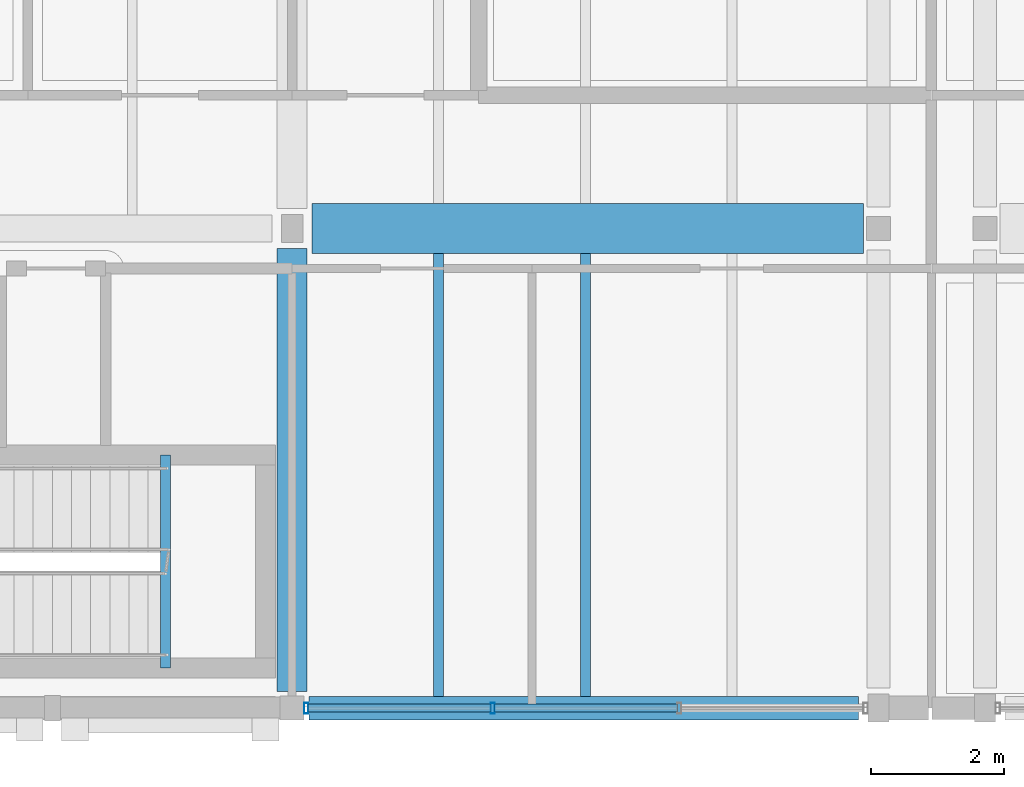
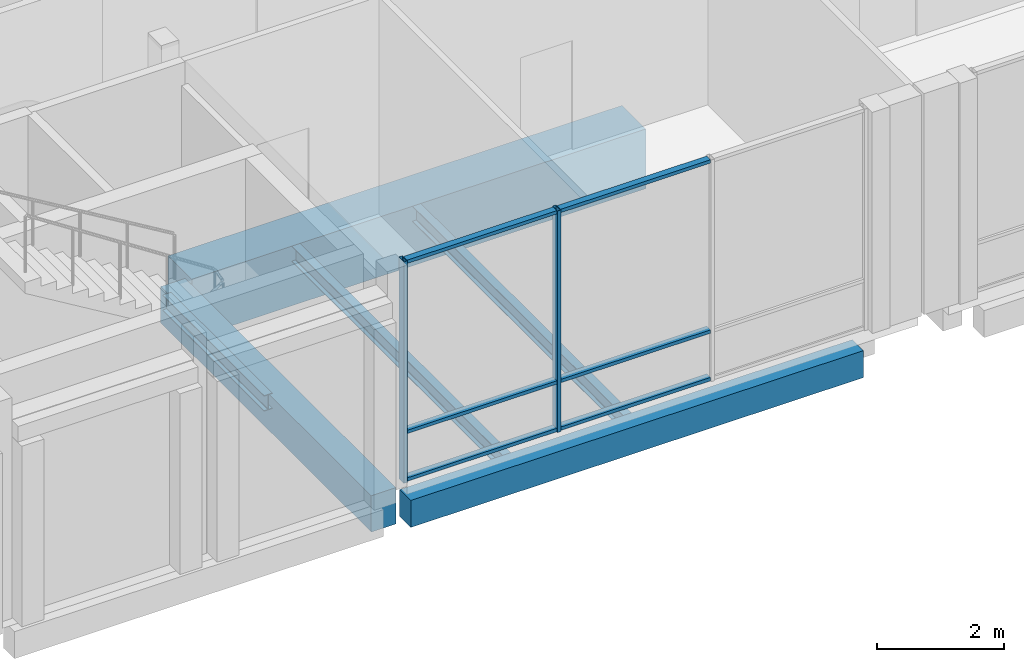
# One storey, part 33 of 146: 8 members, 6 beams, 1 element without a shape of its own.
"""IFC4 building model written with IfcOpenShell, lengths in metres."""

from ifc_helpers import new_model, si_unit, direction, frame, origin, origin_2d, place, context, subcontext, project, spatial, rectangle, hollow_rectangle, i_section, extrude, material, material_profile, profile_set, type_object, element, aggregate, save


model = new_model("IFC4")

# Units and contexts
model_context = context("Model", 3, precision=1e-05, world=origin(), true_north=direction((0.0, 1.0)))
body_context = subcontext(model_context, "Body", "Model", "MODEL_VIEW")
ifc_project = project(units=[si_unit("LENGTHUNIT", "METRE"), si_unit("AREAUNIT", "SQUARE_METRE"), si_unit("VOLUMEUNIT", "CUBIC_METRE"), si_unit("PLANEANGLEUNIT", "RADIAN"), si_unit("MASSUNIT", "GRAM", prefix="KILO")], contexts=[model_context])

# Site, building, storey
site_placement = place(None, origin())
site = spatial("IfcSite", under=ifc_project, at=site_placement, CompositionType="ELEMENT")
building_placement = place(site_placement, origin())
building = spatial("IfcBuilding", under=site, at=building_placement, Name="Hawrajan Terrace Health Centre", CompositionType="ELEMENT")
storey_placement = place(building_placement, frame((0.0, 0.0, 4.5)))
storey = spatial("IfcBuildingStorey", under=building, at=storey_placement, Name="L01", CompositionType="ELEMENT", Elevation=4.5)

# Curtain wall, members
ifc_material_1 = material(Name="Anodized bronze aluminium and low-E solar glazing", Category="aluminium")
curtain_wall_type = type_object("IfcCurtainWallType", Name="CW_CourtNS_SeriesC3", PredefinedType="USERDEFINED", material=ifc_material_1)
curtain_wall_placement = place(storey_placement, origin())
curtain_wall = element("IfcCurtainWall", 1, at=curtain_wall_placement, inside=storey, type_object=curtain_wall_type, Name="Curtain wall CW-L01-081", ObjectType="UNITISED CURTAIN WALL", PredefinedType="USERDEFINED")
ifc_material_2 = material(Name="Anodized bronze aluminium 6063-T6", Category="aluminium")
ifc_material_profile_1 = material_profile(ifc_material_2, hollow_rectangle(XDim=0.06494140625, YDim=0.159912109375, WallThickness=0.00390625, at=origin_2d()), Name="CW MUL 65x160")
ifc_profile_set_1 = profile_set([ifc_material_profile_1], Name="Anodized bronze aluminium 6063-T6")
member_type_1 = type_object("IfcMemberType", Name="CWMullion_65x160", PredefinedType="MULLION", material=ifc_profile_set_1)
member_1_placement = place(storey_placement, frame((62.41259765625, 4.199951171875, -0.0048828125), z_axis=(0.0, 0.0, 1.0), x_axis=(1.0, 0.0, 0.0)))
member_1 = element("IfcMember", 2, at=member_1_placement, type_object=member_type_1, Name="Mullion CW-L01-081-M1", PredefinedType="MULLION", context=body_context, shape_type="SweptSolid", body=[
    extrude(hollow_rectangle(XDim=0.06494140625, YDim=0.159912109375, WallThickness=0.00390625, at=origin_2d()), origin(), (0.0, 0.0, 1.0), 4.269775390625),
])
member_2_placement = place(storey_placement, frame((65.210693359375, 4.199951171875, -0.0048828125), z_axis=(0.0, 0.0, 1.0), x_axis=(1.0, 0.0, 0.0)))
member_2 = element("IfcMember", 3, at=member_2_placement, type_object=member_type_1, Name="Mullion CW-L01-081-M2", PredefinedType="MULLION", context=body_context, shape_type="SweptSolid", body=[
    extrude(hollow_rectangle(XDim=0.06494140625, YDim=0.159912109375, WallThickness=0.00390625, at=origin_2d()), origin(), (0.0, 0.0, 1.0), 4.269775390625),
])
ifc_material_profile_2 = material_profile(ifc_material_2, hollow_rectangle(XDim=0.06494140625, YDim=0.1201171875, WallThickness=0.00341796875, at=origin_2d()), Name="CW TRN 65x120")
ifc_profile_set_2 = profile_set([ifc_material_profile_2], Name="Anodized bronze aluminium 6063-T6")
member_type_2 = type_object("IfcMemberType", Name="CWTransom_65x120", PredefinedType="USERDEFINED", material=ifc_profile_set_2)
member_3_placement = place(storey_placement, frame((62.43896484375, 4.199951171875, 0.032470703125), z_axis=(1.0, 0.0, 0.0), x_axis=(0.0, 0.0, 1.0)))
member_3 = element("IfcMember", 4, at=member_3_placement, type_object=member_type_2, Name="Transom CW-L01-081-T1-1", ObjectType="TRANSOM", PredefinedType="USERDEFINED", context=body_context, shape_type="SweptSolid", body=[
    extrude(hollow_rectangle(XDim=0.06494140625, YDim=0.1201171875, WallThickness=0.00341796875, at=origin_2d()), origin(), (0.0, 0.0, 1.0), 2.745361328125),
])
member_4_placement = place(storey_placement, frame((62.43896484375, 4.199951171875, 0.949951171875), z_axis=(1.0, 0.0, 0.0), x_axis=(0.0, 0.0, 1.0)))
member_4 = element("IfcMember", 5, at=member_4_placement, type_object=member_type_2, Name="Transom CW-L01-081-T1-2", ObjectType="TRANSOM", PredefinedType="USERDEFINED", context=body_context, shape_type="SweptSolid", body=[
    extrude(hollow_rectangle(XDim=0.06494140625, YDim=0.1201171875, WallThickness=0.00341796875, at=origin_2d()), origin(), (0.0, 0.0, 1.0), 2.745361328125),
])
member_5_placement = place(storey_placement, frame((62.43896484375, 4.199951171875, 4.2275390625), z_axis=(1.0, 0.0, 0.0), x_axis=(0.0, 0.0, 1.0)))
member_5 = element("IfcMember", 6, at=member_5_placement, type_object=member_type_2, Name="Transom CW-L01-081-T1-3", ObjectType="TRANSOM", PredefinedType="USERDEFINED", context=body_context, shape_type="SweptSolid", body=[
    extrude(hollow_rectangle(XDim=0.06494140625, YDim=0.1201171875, WallThickness=0.00341796875, at=origin_2d()), origin(), (0.0, 0.0, 1.0), 2.745361328125),
])
member_6_placement = place(storey_placement, frame((65.2373046875, 4.199951171875, 0.032470703125), z_axis=(1.0, 0.0, 0.0), x_axis=(0.0, 0.0, 1.0)))
member_6 = element("IfcMember", 7, at=member_6_placement, type_object=member_type_2, Name="Transom CW-L01-081-T2-1", ObjectType="TRANSOM", PredefinedType="USERDEFINED", context=body_context, shape_type="SweptSolid", body=[
    extrude(hollow_rectangle(XDim=0.06494140625, YDim=0.1201171875, WallThickness=0.00341796875, at=origin_2d()), origin(), (0.0, 0.0, 1.0), 2.745361328125),
])
member_7_placement = place(storey_placement, frame((65.2373046875, 4.199951171875, 0.949951171875), z_axis=(1.0, 0.0, 0.0), x_axis=(0.0, 0.0, 1.0)))
member_7 = element("IfcMember", 8, at=member_7_placement, type_object=member_type_2, Name="Transom CW-L01-081-T2-2", ObjectType="TRANSOM", PredefinedType="USERDEFINED", context=body_context, shape_type="SweptSolid", body=[
    extrude(hollow_rectangle(XDim=0.06494140625, YDim=0.1201171875, WallThickness=0.00341796875, at=origin_2d()), origin(), (0.0, 0.0, 1.0), 2.745361328125),
])
member_8_placement = place(storey_placement, frame((65.2373046875, 4.199951171875, 4.2275390625), z_axis=(1.0, 0.0, 0.0), x_axis=(0.0, 0.0, 1.0)))
member_8 = element("IfcMember", 9, at=member_8_placement, type_object=member_type_2, Name="Transom CW-L01-081-T2-3", ObjectType="TRANSOM", PredefinedType="USERDEFINED", context=body_context, shape_type="SweptSolid", body=[
    extrude(hollow_rectangle(XDim=0.06494140625, YDim=0.1201171875, WallThickness=0.00341796875, at=origin_2d()), origin(), (0.0, 0.0, 1.0), 2.745361328125),
])
aggregate(curtain_wall, [member_1, member_2, member_3, member_4, member_5, member_6, member_7, member_8])

# Beams
ifc_material_3 = material(Name="Concrete C40/50", Category="concrete")
ifc_material_profile_3 = material_profile(ifc_material_3, rectangle(XDim=0.449951171875, YDim=0.699951171875, at=origin_2d()), Name="RC BM 450x700")
ifc_profile_set_3 = profile_set([ifc_material_profile_3], Name="Concrete C40/50")
beam_type_1 = type_object("IfcBeamType", Name="RCGirder_450x700", PredefinedType="BEAM", material=ifc_profile_set_3)
beam_1_placement = place(storey_placement, frame((62.199951171875, 4.449951171875, -0.64990234375), z_axis=(0.0, 1.0, 0.0), x_axis=(-1.0, 0.0, 0.0)))
element("IfcBeam", 10, at=beam_1_placement, inside=storey, type_object=beam_type_1, Name="Beam BM-Y-L01-W-X09-1", PredefinedType="BEAM", context=body_context, shape_type="SweptSolid", body=[
    extrude(rectangle(XDim=0.449951171875, YDim=0.699951171875, at=origin_2d()), origin(), (0.0, 0.0, 1.0), 6.650146484375),
])
ifc_material_profile_4 = material_profile(ifc_material_3, rectangle(XDim=0.35009765625, YDim=0.52001953125, at=origin_2d()), Name="RC SP 350x520")
ifc_profile_set_4 = profile_set([ifc_material_profile_4], Name="Concrete C40/50")
beam_type_2 = type_object("IfcBeamType", Name="RCSpandrel_350x520", PredefinedType="SPANDREL", material=ifc_profile_set_4)
beam_2_placement = place(storey_placement, frame((62.449951171875, 4.199951171875, -0.56005859375), z_axis=(1.0, 0.0, 0.0), x_axis=(0.0, 1.0, 0.0)))
element("IfcBeam", 11, at=beam_2_placement, inside=storey, type_object=beam_type_2, Name="Beam BM-X-L01-W-09-Y1", PredefinedType="SPANDREL", context=body_context, shape_type="SweptSolid", body=[
    extrude(rectangle(XDim=0.35009765625, YDim=0.52001953125, at=origin_2d()), origin(), (0.0, 0.0, 1.0), 8.25),
])
ifc_material_profile_5 = material_profile(ifc_material_3, rectangle(XDim=0.75, YDim=1.14990234375, at=origin_2d()), Name="RC TG 750x1150")
ifc_profile_set_5 = profile_set([ifc_material_profile_5], Name="Concrete C40/50")
beam_type_3 = type_object("IfcBeamType", Name="RCTransferGirder_750x1150", PredefinedType="BEAM", material=ifc_profile_set_5)
beam_3_placement = place(storey_placement, frame((62.5, 11.39990234375, -0.875), z_axis=(1.0, 0.0, 0.0), x_axis=(0.0, 1.0, 0.0)))
element("IfcBeam", 12, at=beam_3_placement, inside=storey, type_object=beam_type_3, Name="Beam BM-X-L01-W-09-Y2", PredefinedType="BEAM", context=body_context, shape_type="SweptSolid", body=[
    extrude(rectangle(XDim=0.75, YDim=1.14990234375, at=origin_2d()), origin(), (0.0, 0.0, 1.0), 8.27490234375),
])
ifc_material_4 = material(Name="Steel S355", Category="steel")
ifc_material_profile_6 = material_profile(ifc_material_4, i_section(OverallWidth=0.14990234375, OverallDepth=0.300048828125, WebThickness=0.007080078125, FlangeThickness=0.0107421875, FilletRadius=0.014892578125, at=origin_2d()), Name="IPE 300")
ifc_profile_set_6 = profile_set([ifc_material_profile_6], Name="Steel S355")
beam_type_4 = type_object("IfcBeamType", Name="SteelBeam_IPE300", PredefinedType="JOIST", material=ifc_profile_set_6)
for number, where, z_axis, x_axis, name in (
    (13, (64.39990234375, 4.375, -0.449951171875), (0.0, 1.0, 0.0), (-1.0, 0.0, 0.0), "Secondary joist JST-L01-W-09-1-1"),
    (14, (66.60009765625, 4.375, -0.449951171875), (0.0, 1.0, 0.0), (-1.0, 0.0, 0.0), "Secondary joist JST-L01-W-09-1-2"),
):
    element("IfcBeam", number, at=place(storey_placement, frame(where, z_axis=z_axis, x_axis=x_axis)), inside=storey, type_object=beam_type_4, Name=name, PredefinedType="JOIST", context=body_context, shape_type="SweptSolid", body=[
        extrude(i_section(OverallWidth=0.14990234375, OverallDepth=0.300048828125, WebThickness=0.007080078125, FlangeThickness=0.0107421875, FilletRadius=0.014892578125, at=origin_2d()), origin(), (0.0, 0.0, 1.0), 6.64990234375),
    ])
beam_4_placement = place(storey_placement, frame((60.300048828125, 4.800048828125, 1.8798828125), z_axis=(0.0, 1.0, 0.0), x_axis=(-1.0, 0.0, 0.0)))
element("IfcBeam", 15, at=beam_4_placement, inside=storey, type_object=beam_type_4, Name="Stair half-landing trimmer ST-4-L01-B1", PredefinedType="JOIST", context=body_context, shape_type="SweptSolid", body=[
    extrude(i_section(OverallWidth=0.14990234375, OverallDepth=0.300048828125, WebThickness=0.007080078125, FlangeThickness=0.0107421875, FilletRadius=0.014892578125, at=origin_2d()), origin(), (0.0, 0.0, 1.0), 3.199951171875),
])

save(model, "model.ifc")
